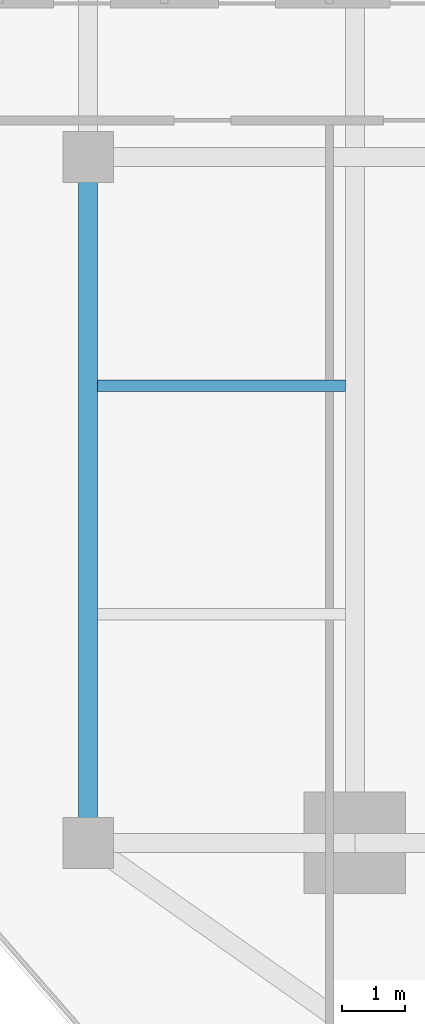
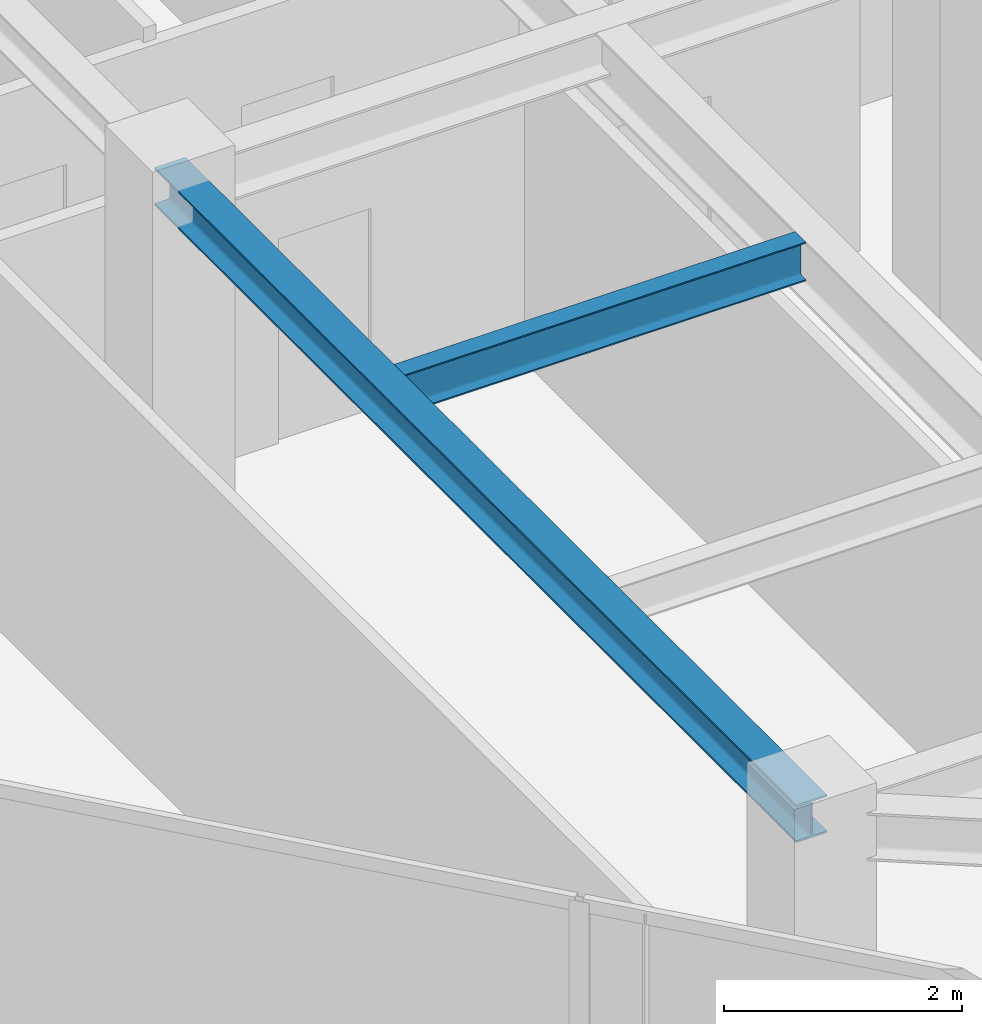
# One storey, part 6 of 24: 2 beams.
"""IFC4 building model written with IfcOpenShell, lengths in metres."""

import ifcopenshell
import ifcopenshell.guid

model = None  # the IFC model being written
_history = None  # IfcOwnerHistory: only IFC2X3 demands one
_inside = {}  # id of a spatial element -> (the spatial element, [elements in it])
_under = {}  # id of a project, library or spatial element -> (it, [spatial elements below it])
_declared = {}  # id of a project -> (the project, [libraries it declares])
_typed = {}  # id of a type object -> (the type object, [elements of that type])
_made_of = {}  # id of a material, layer set ... -> (it, [elements and type objects made of it])


def new_model(schema):
    """Start an empty IFC model of exactly this schema.

    Asked for "IFC4X3", IfcOpenShell would pick the latest addendum, in which some entities
    have other attributes; the version numbers below select the first issue.
    IFC2X3 requires an IfcOwnerHistory on every rooted entity: one is made here for all.
    """
    global model, _history
    if schema == "IFC4X3":
        model = ifcopenshell.file(schema_version=(4, 3, 0, 0))
    else:
        model = ifcopenshell.file(schema=schema)
    _inside.clear()
    _under.clear()
    _declared.clear()
    _typed.clear()
    _made_of.clear()
    _history = None
    if model.schema == "IFC2X3":
        org = make("IfcOrganization", Name="unknown")
        user = make(
            "IfcPersonAndOrganization",
            ThePerson=make("IfcPerson", FamilyName="unknown"),
            TheOrganization=org,
        )
        app = make(
            "IfcApplication",
            ApplicationDeveloper=org,
            Version="unknown",
            ApplicationFullName="unknown",
            ApplicationIdentifier="unknown",
        )
        _history = make(
            "IfcOwnerHistory",
            OwningUser=user,
            OwningApplication=app,
            ChangeAction="ADDED",
            CreationDate=0,
        )
    return model


def make(cls, **values):
    """One entity of the class cls with the attributes given. An attribute that is None is left unset."""
    return model.create_entity(
        cls, **{name: value for name, value in values.items() if value is not None}
    )


def rooted(cls, **values):
    """An entity with a GlobalId (a new one), such as an element, a storey or a relation."""
    return make(cls, GlobalId=ifcopenshell.guid.new(), OwnerHistory=_history, **values)


def si_unit(unit_type, name, prefix=None):
    """IfcSIUnit, for example si_unit("LENGTHUNIT", "METRE", prefix="MILLI")."""
    return make("IfcSIUnit", UnitType=unit_type, Prefix=prefix, Name=name)


def assignment(units):
    """IfcUnitAssignment: the units of a project."""
    return None if units is None else make("IfcUnitAssignment", Units=units)


def point(xyz):
    """IfcCartesianPoint."""
    return None if xyz is None else make("IfcCartesianPoint", Coordinates=xyz)


def direction(xyz):
    """IfcDirection."""
    return None if xyz is None else make("IfcDirection", DirectionRatios=xyz)


def frame(location, z_axis=None, x_axis=None):
    """IfcAxis2Placement3D, a coordinate frame: its origin and axes. An axis left out is left unset."""
    return make(
        "IfcAxis2Placement3D",
        Location=point(location),
        Axis=direction(z_axis),
        RefDirection=direction(x_axis),
    )


def frame_2d(location, x_axis=None):
    """IfcAxis2Placement2D, a coordinate frame in the plane: its origin and x axis."""
    return make(
        "IfcAxis2Placement2D", Location=point(location), RefDirection=direction(x_axis)
    )


def origin():
    """The frame at (0, 0, 0) with its axes left unset."""
    return frame((0.0, 0.0, 0.0))


def origin_2d():
    """The frame at (0, 0) in the plane with its x axis left unset."""
    return frame_2d((0.0, 0.0))


def place(relative_to, where):
    """IfcLocalPlacement: puts the frame where relative to a parent placement (None: the world)."""
    return make(
        "IfcLocalPlacement", PlacementRelTo=relative_to, RelativePlacement=where
    )


def context(
    kind, dimensions, precision=None, world=None, true_north=None, identifier=None
):
    """IfcGeometricRepresentationContext, for example the 3D "Model" context."""
    return make(
        "IfcGeometricRepresentationContext",
        ContextIdentifier=identifier,
        ContextType=kind,
        CoordinateSpaceDimension=dimensions,
        Precision=precision,
        WorldCoordinateSystem=world,
        TrueNorth=true_north,
    )


def subcontext(parent, identifier, kind, view, scale=None):
    """IfcGeometricRepresentationSubContext, for example "Body" below "Model"."""
    return make(
        "IfcGeometricRepresentationSubContext",
        ContextIdentifier=identifier,
        ContextType=kind,
        ParentContext=parent,
        TargetScale=scale,
        TargetView=view,
    )


def project(units=None, contexts=None):
    """IfcProject with its units and contexts."""
    return rooted(
        "IfcProject",
        Name="project",
        RepresentationContexts=contexts,
        UnitsInContext=assignment(units),
    )


def spatial(cls, under=None, at=None, **own):
    """A site, building, storey or space (cls), placed at a placement, below another one or the project."""
    s = rooted(cls, ObjectPlacement=at, **own)
    if under is not None:
        _under.setdefault(under.id(), (under, []))[1].append(s)
    return s


def profile(cls, at=None, kind="AREA", **sizes):
    """A parametric profile (cls). Its sizes go by their IFC names, for example OverallWidth=200.0."""
    return make(cls, ProfileType=kind, Position=at, **sizes)


def i_section(**sizes):
    """IfcIShapeProfileDef."""
    return profile("IfcIShapeProfileDef", **sizes)


def extrude(swept, where, along, depth):
    """IfcExtrudedAreaSolid: the profile swept, set in the frame where, extruded along a direction by depth."""
    return make(
        "IfcExtrudedAreaSolid",
        SweptArea=swept,
        Position=where,
        ExtrudedDirection=direction(along),
        Depth=depth,
    )


def shape(context_of_items, identifier, shape_type, items):
    """IfcShapeRepresentation: the items that make up one representation, for example the "Body"."""
    return make(
        "IfcShapeRepresentation",
        ContextOfItems=context_of_items,
        RepresentationIdentifier=identifier,
        RepresentationType=shape_type,
        Items=items,
    )


def source(mapping_origin, context_of_items, identifier, shape_type, items):
    """IfcRepresentationMap: a shape defined once, which mapped items show again and again."""
    return make(
        "IfcRepresentationMap",
        MappingOrigin=mapping_origin,
        MappedRepresentation=shape(context_of_items, identifier, shape_type, items),
    )


def transform(
    local_origin,
    x_axis=None,
    y_axis=None,
    z_axis=None,
    scale=None,
    scale2=None,
    scale3=None,
    uniform=True,
):
    """IfcCartesianTransformationOperator3D, or its non-uniform kind. x_axis, y_axis, z_axis: its Axis1, 2, 3."""
    if uniform:
        return make(
            "IfcCartesianTransformationOperator3D",
            Axis1=direction(x_axis),
            Axis2=direction(y_axis),
            LocalOrigin=point(local_origin),
            Scale=scale,
            Axis3=direction(z_axis),
        )
    return make(
        "IfcCartesianTransformationOperator3DnonUniform",
        Axis1=direction(x_axis),
        Axis2=direction(y_axis),
        LocalOrigin=point(local_origin),
        Scale=scale,
        Axis3=direction(z_axis),
        Scale2=scale2,
        Scale3=scale3,
    )


def mapped(mapping_source, mapping_target):
    """IfcMappedItem: shows the shape of a source again, moved by a transform."""
    return make(
        "IfcMappedItem", MappingSource=mapping_source, MappingTarget=mapping_target
    )


def material(Name=None, Category=None):
    """IfcMaterial."""
    return make("IfcMaterial", Name=Name, Category=Category)


def material_profile(
    of_material, cross_section, Name=None, Category=None, Priority=None
):
    """IfcMaterialProfile: a cross section and its material."""
    return make(
        "IfcMaterialProfile",
        Name=Name,
        Material=of_material,
        Profile=cross_section,
        Priority=Priority,
        Category=Category,
    )


def profile_set(profiles, Name=None, composite=None):
    """IfcMaterialProfileSet."""
    return make(
        "IfcMaterialProfileSet",
        Name=Name,
        MaterialProfiles=profiles,
        CompositeProfile=composite,
    )


def made_of(thing, what):
    """Note that an element or type object is made of a material, layer set ...; save() writes the relation."""
    if what is not None:
        _made_of.setdefault(what.id(), (what, []))[1].append(thing)
    return thing


def type_object(cls, material=None, **own):
    """A type object (cls), such as IfcWallType, which elements share."""
    return made_of(rooted(cls, **own), material)


def type_shapes(of_type, sources):
    """Give a type object the sources (RepresentationMaps) that its elements show as mapped items."""
    of_type.RepresentationMaps = sources


def element(
    cls,
    number,
    at=None,
    inside=None,
    cuts=None,
    type_object=None,
    material=None,
    context=None,
    identifier="Body",
    shape_type=None,
    held_by="IfcProductDefinitionShape",
    body=None,
    shapes=None,
    **own,
):
    """One element of the class cls, such as IfcWall. Its Tag is "e" and its number.

    at: its placement. inside: the storey or other place that contains it. cuts: it is an
    opening in that element (IfcRelVoidsElement). A single representation is given by context,
    identifier, shape_type and body (its items); several are given by shapes. held_by: the class
    of the entity that holds the representations. save() writes the other relations.
    """
    e = rooted(cls, Tag="e%d" % number, ObjectPlacement=at, **own)
    if body is not None:
        shapes = [shape(context, identifier, shape_type, body)]
    if shapes is not None:
        e.Representation = make(held_by, Representations=shapes)
    if inside is not None:
        _inside.setdefault(inside.id(), (inside, []))[1].append(e)
    if cuts is not None:
        rooted(
            "IfcRelVoidsElement", RelatingBuildingElement=cuts, RelatedOpeningElement=e
        )
    if type_object is not None:
        _typed.setdefault(type_object.id(), (type_object, []))[1].append(e)
    return made_of(e, material)


def aggregate(whole, parts):
    """IfcRelAggregates: a whole, such as a stair, and the parts it consists of."""
    return rooted("IfcRelAggregates", RelatingObject=whole, RelatedObjects=parts)


def save(model, path):
    """Write the relations noted so far, then the file.

    IfcRelAggregates (storeys below a building ...), IfcRelContainedInSpatialStructure (elements
    in a storey), IfcRelDefinesByType, IfcRelAssociatesMaterial and IfcRelDeclares: one each for
    every whole, place, type object, material and project.
    """
    for whole, parts in _under.values():
        aggregate(whole, parts)
    for where, things in _inside.values():
        rooted(
            "IfcRelContainedInSpatialStructure",
            RelatedElements=things,
            RelatingStructure=where,
        )
    for kind, things in _typed.values():
        rooted("IfcRelDefinesByType", RelatedObjects=things, RelatingType=kind)
    for what, things in _made_of.values():
        rooted("IfcRelAssociatesMaterial", RelatedObjects=things, RelatingMaterial=what)
    for by, libraries in _declared.values():
        rooted("IfcRelDeclares", RelatingContext=by, RelatedDefinitions=libraries)
    model.write(path)


model = new_model("IFC4")

# Units and contexts
model_context = context("Model", 3, precision=1e-05, world=origin(), true_north=direction((0.0, 1.0)))
body_context = subcontext(model_context, "Body", "Model", "MODEL_VIEW")
ifc_project = project(units=[si_unit("LENGTHUNIT", "METRE"), si_unit("AREAUNIT", "SQUARE_METRE"), si_unit("VOLUMEUNIT", "CUBIC_METRE"), si_unit("PLANEANGLEUNIT", "RADIAN"), si_unit("MASSUNIT", "GRAM", prefix="KILO")], contexts=[model_context])

# Site, building, storey
site_placement = place(None, origin())
site = spatial("IfcSite", under=ifc_project, at=site_placement, CompositionType="ELEMENT")
building_placement = place(site_placement, origin())
building = spatial("IfcBuilding", under=site, at=building_placement, Name="Krantzveldt Concourse Tower", CompositionType="ELEMENT")
storey_placement = place(building_placement, frame((0.0, 0.0, 250.75)))
storey = spatial("IfcBuildingStorey", under=building, at=storey_placement, Name="L61", CompositionType="ELEMENT", Elevation=250.75)

# Beams
ifc_material = material(Name="Steel S355JR", Category="steel")
ifc_material_profile_1 = material_profile(ifc_material, i_section(OverallWidth=0.300048828125, OverallDepth=0.389892578125, WebThickness=0.010986328125, FlangeThickness=0.01904296875, FilletRadius=0.027099609375, at=origin_2d()), Name="Steel S355JR", Category="steel")
ifc_profile_set_1 = profile_set([ifc_material_profile_1], Name="Steel S355JR - HEA 400")
beam_type_1 = type_object("IfcBeamType", Name="BM-SP-HEA400", PredefinedType="SPANDREL", material=ifc_profile_set_1)
shared_shape_1 = source(origin(), body_context, "Body", "SweptSolid", [
    extrude(i_section(OverallWidth=0.300048828125, OverallDepth=0.389892578125, WebThickness=0.010986328125, FlangeThickness=0.01904296875, FilletRadius=0.027099609375, at=origin_2d()), origin(), (0.0, 0.0, 1.0), 10.800048828125),
])
type_shapes(beam_type_1, [shared_shape_1])
beam_1_placement = place(storey_placement, frame((21.0, 15.89990234375, 3.47509765625), z_axis=(0.0, 1.0, 0.0), x_axis=(-1.0, 0.0, 0.0)))
element("IfcBeam", 1, at=beam_1_placement, inside=storey, type_object=beam_type_1, Name="L61 Tower Girder SP-R01", PredefinedType="SPANDREL", context=body_context, shape_type="MappedRepresentation", body=[
    mapped(shared_shape_1, transform((0.0, 0.0, 0.0), x_axis=(1.0, 0.0, 0.0), y_axis=(0.0, 1.0, 0.0), z_axis=(0.0, 0.0, 1.0), scale=1.0)),
])
ifc_material_profile_2 = material_profile(ifc_material, i_section(OverallWidth=0.179931640625, OverallDepth=0.39990234375, WebThickness=0.008544921875, FlangeThickness=0.013427734375, FilletRadius=0.02099609375, at=origin_2d()), Name="Steel S355JR", Category="steel")
ifc_profile_set_2 = profile_set([ifc_material_profile_2], Name="Steel S355JR - IPE 400")
beam_type_2 = type_object("IfcBeamType", Name="BM-J-IPE400", PredefinedType="JOIST", material=ifc_profile_set_2)
shared_shape_2 = source(origin(), body_context, "Body", "SweptSolid", [
    extrude(i_section(OverallWidth=0.179931640625, OverallDepth=0.39990234375, WebThickness=0.008544921875, FlangeThickness=0.013427734375, FilletRadius=0.02099609375, at=origin_2d()), origin(), (0.0, 0.0, 1.0), 3.900146484375),
])
type_shapes(beam_type_2, [shared_shape_2])
beam_2_placement = place(storey_placement, frame((21.14990234375, 23.10009765625, 3.469970703125), z_axis=(1.0, 0.0, 0.0), x_axis=(0.0, 1.0, 0.0)))
element("IfcBeam", 2, at=beam_2_placement, inside=storey, type_object=beam_type_2, Name="L61 Secondary Floor Joist JW-2", PredefinedType="JOIST", context=body_context, shape_type="MappedRepresentation", body=[
    mapped(shared_shape_2, transform((0.0, 0.0, 0.0), x_axis=(1.0, 0.0, 0.0), y_axis=(0.0, 1.0, 0.0), z_axis=(0.0, 0.0, 1.0), scale=1.0)),
])

save(model, "model.ifc")
